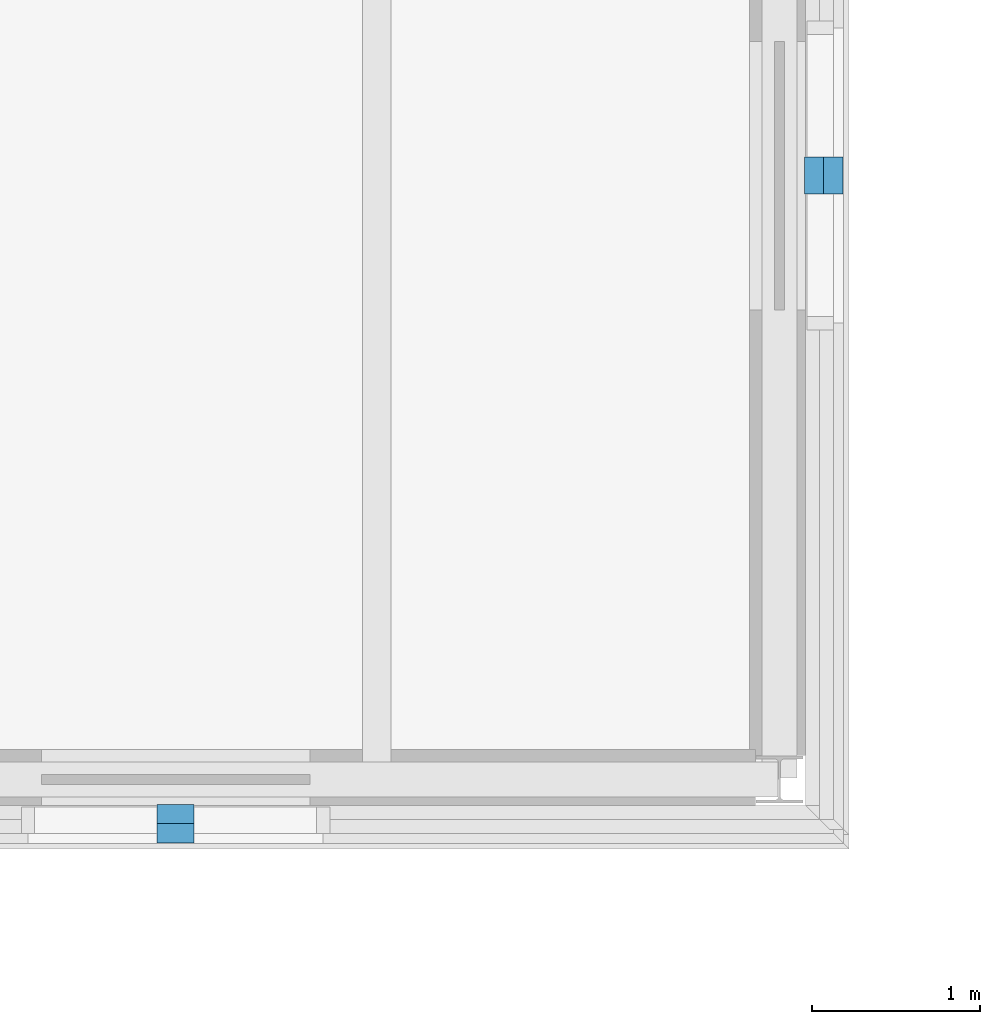
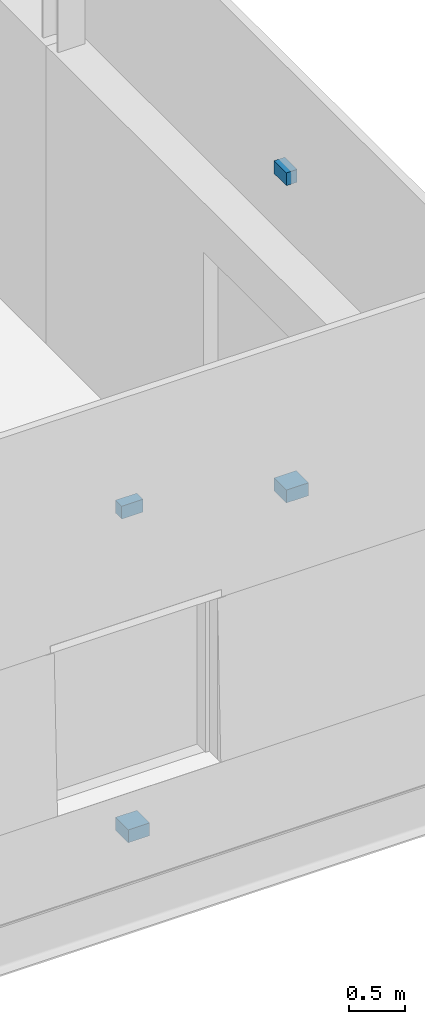
# One storey, part 52 of 66: 4 discrete accessories.
"""IFC4 building model written with IfcOpenShell, lengths in metres."""

from ifc_helpers import new_model, si_unit, direction, frame, origin, origin_2d, place, context, subcontext, project, spatial, rectangle, extrude, material, layer, layer_set, type_object, element, save


model = new_model("IFC4")

# Units and contexts
model_context = context("Model", 3, precision=1e-05, world=origin(), true_north=direction((0.0, 1.0)))
body_context = subcontext(model_context, "Body", "Model", "MODEL_VIEW")
ifc_project = project(units=[si_unit("LENGTHUNIT", "METRE"), si_unit("AREAUNIT", "SQUARE_METRE"), si_unit("VOLUMEUNIT", "CUBIC_METRE"), si_unit("PLANEANGLEUNIT", "RADIAN"), si_unit("MASSUNIT", "GRAM", prefix="KILO")], contexts=[model_context])

# Site, building, storey
site_placement = place(None, origin())
site = spatial("IfcSite", under=ifc_project, at=site_placement, CompositionType="ELEMENT")
building_placement = place(site_placement, origin())
building = spatial("IfcBuilding", under=site, at=building_placement, Name="Narikvali Park Central Library", CompositionType="ELEMENT")
storey_placement = place(building_placement, frame((0.0, 0.0, 18.60009765625)))
storey = spatial("IfcBuildingStorey", under=building, at=storey_placement, Name="L04", CompositionType="ELEMENT", Elevation=18.60009765625)

# Discrete accessories
ifc_material = material(Name="Brushed Stainless Steel S355", Category="steel")
ifc_layer = layer(ifc_material, 0.139892578125, Name="Brushed Stainless Steel S355")
ifc_layer_set = layer_set([ifc_layer], Name="Brushed Stainless Steel S355")
discrete_accessory_type = type_object("IfcDiscreteAccessoryType", Name="Cladding Stainless Tie-Back Corbel Bracket", PredefinedType="BRACKET", material=ifc_layer_set)
discrete_accessory_1_placement = place(storey_placement, frame((54.0, 57.336181640625, 0.40478515625), z_axis=(0.0, 0.0, 1.0), x_axis=(1.0, 0.0, 0.0)))
element("IfcDiscreteAccessory", 1, at=discrete_accessory_1_placement, inside=storey, type_object=discrete_accessory_type, Name="Limestone Cladding Tie-Back Bracket V4-CLD-L04-S-B04-SP", PredefinedType="BRACKET", context=body_context, shape_type="SweptSolid", body=[
    extrude(rectangle(XDim=0.219970703125, YDim=0.2275390625, at=origin_2d()), origin(), (0.0, 0.0, 1.0), 0.139892578125),
])
discrete_accessory_2_placement = place(storey_placement, frame((54.0, 57.394287109375, 3.85498046875), z_axis=(0.0, 0.0, 1.0), x_axis=(1.0, 0.0, 0.0)))
element("IfcDiscreteAccessory", 2, at=discrete_accessory_2_placement, inside=storey, type_object=discrete_accessory_type, Name="Limestone Cladding Tie-Back Bracket V4-CLD-L04-S-B04-LN", PredefinedType="BRACKET", context=body_context, shape_type="SweptSolid", body=[
    extrude(rectangle(XDim=0.219970703125, YDim=0.111083984375, at=origin_2d()), origin(), (0.0, 0.0, 1.0), 0.139892578125),
])
discrete_accessory_3_placement = place(storey_placement, frame((57.86376953125, 61.199951171875, 0.40478515625), z_axis=(0.0, 0.0, 1.0), x_axis=(1.0, 0.0, 0.0)))
element("IfcDiscreteAccessory", 3, at=discrete_accessory_3_placement, inside=storey, type_object=discrete_accessory_type, Name="Limestone Cladding Tie-Back Bracket V4-CLD-L04-E-B01-SP", PredefinedType="BRACKET", context=body_context, shape_type="SweptSolid", body=[
    extrude(rectangle(XDim=0.2275390625, YDim=0.219970703125, at=origin_2d()), origin(), (0.0, 0.0, 1.0), 0.139892578125),
])
discrete_accessory_4_placement = place(storey_placement, frame((57.8056640625, 61.199951171875, 3.85498046875), z_axis=(0.0, 0.0, 1.0), x_axis=(1.0, 0.0, 0.0)))
element("IfcDiscreteAccessory", 4, at=discrete_accessory_4_placement, inside=storey, type_object=discrete_accessory_type, Name="Limestone Cladding Tie-Back Bracket V4-CLD-L04-E-B01-LN", PredefinedType="BRACKET", context=body_context, shape_type="SweptSolid", body=[
    extrude(rectangle(XDim=0.111083984375, YDim=0.219970703125, at=origin_2d()), origin(), (0.0, 0.0, 1.0), 0.139892578125),
])

save(model, "model.ifc")
